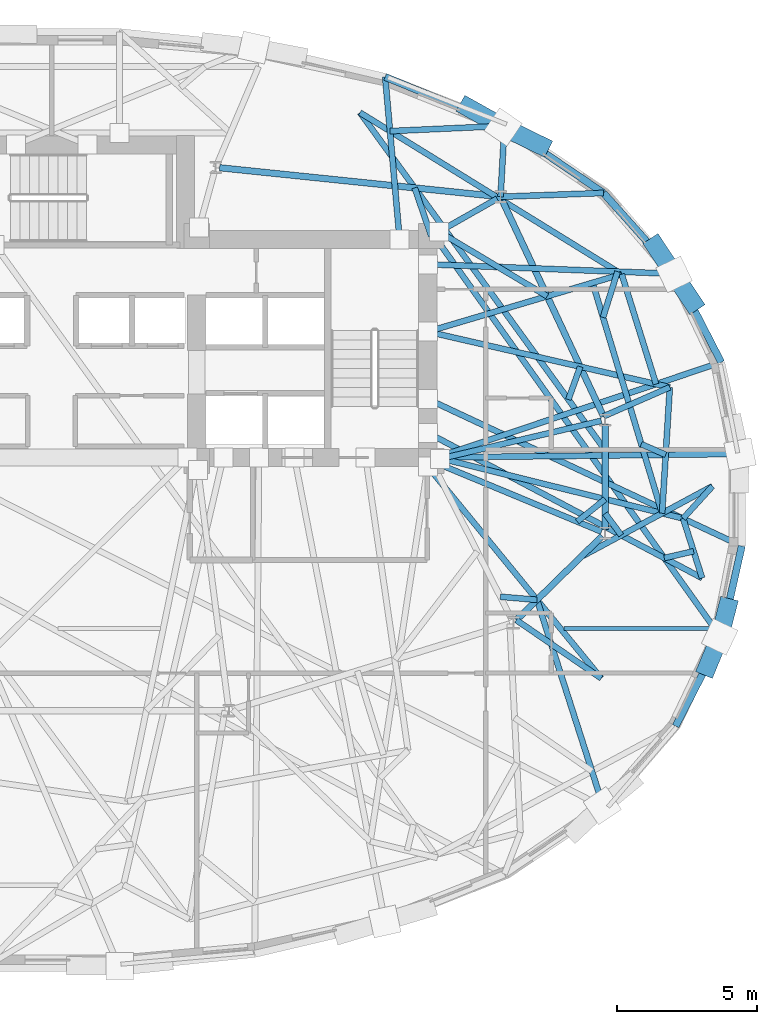
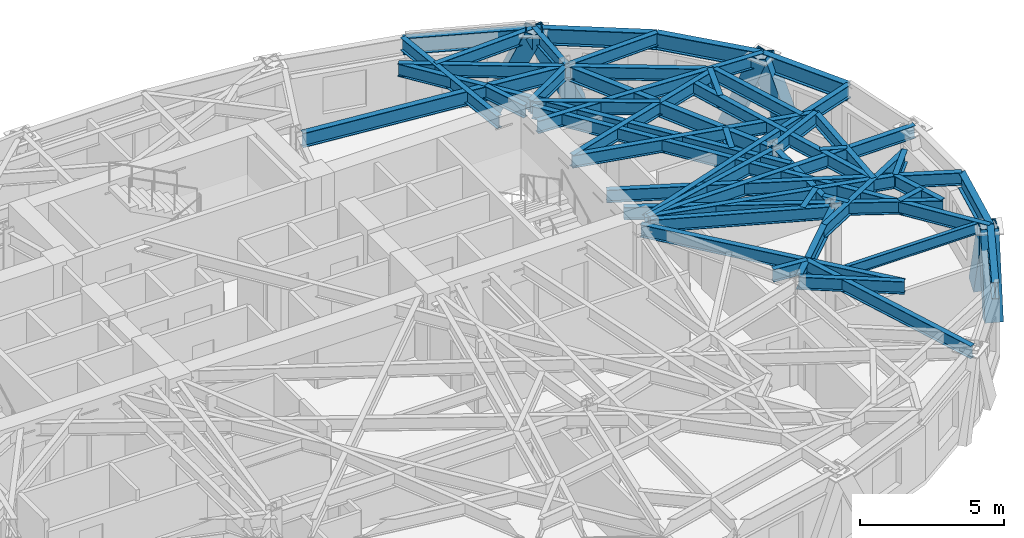
# One storey, part 4 of 14: 48 beams, 6 members.
"""IFC4 building model written with IfcOpenShell, lengths in metres."""

import ifcopenshell
import ifcopenshell.guid

model = None  # the IFC model being written
_history = None  # IfcOwnerHistory: only IFC2X3 demands one
_inside = {}  # id of a spatial element -> (the spatial element, [elements in it])
_under = {}  # id of a project, library or spatial element -> (it, [spatial elements below it])
_declared = {}  # id of a project -> (the project, [libraries it declares])
_typed = {}  # id of a type object -> (the type object, [elements of that type])
_made_of = {}  # id of a material, layer set ... -> (it, [elements and type objects made of it])


def new_model(schema):
    """Start an empty IFC model of exactly this schema.

    Asked for "IFC4X3", IfcOpenShell would pick the latest addendum, in which some entities
    have other attributes; the version numbers below select the first issue.
    IFC2X3 requires an IfcOwnerHistory on every rooted entity: one is made here for all.
    """
    global model, _history
    if schema == "IFC4X3":
        model = ifcopenshell.file(schema_version=(4, 3, 0, 0))
    else:
        model = ifcopenshell.file(schema=schema)
    _inside.clear()
    _under.clear()
    _declared.clear()
    _typed.clear()
    _made_of.clear()
    _history = None
    if model.schema == "IFC2X3":
        org = make("IfcOrganization", Name="unknown")
        user = make(
            "IfcPersonAndOrganization",
            ThePerson=make("IfcPerson", FamilyName="unknown"),
            TheOrganization=org,
        )
        app = make(
            "IfcApplication",
            ApplicationDeveloper=org,
            Version="unknown",
            ApplicationFullName="unknown",
            ApplicationIdentifier="unknown",
        )
        _history = make(
            "IfcOwnerHistory",
            OwningUser=user,
            OwningApplication=app,
            ChangeAction="ADDED",
            CreationDate=0,
        )
    return model


def make(cls, **values):
    """One entity of the class cls with the attributes given. An attribute that is None is left unset."""
    return model.create_entity(
        cls, **{name: value for name, value in values.items() if value is not None}
    )


def rooted(cls, **values):
    """An entity with a GlobalId (a new one), such as an element, a storey or a relation."""
    return make(cls, GlobalId=ifcopenshell.guid.new(), OwnerHistory=_history, **values)


def si_unit(unit_type, name, prefix=None):
    """IfcSIUnit, for example si_unit("LENGTHUNIT", "METRE", prefix="MILLI")."""
    return make("IfcSIUnit", UnitType=unit_type, Prefix=prefix, Name=name)


def assignment(units):
    """IfcUnitAssignment: the units of a project."""
    return None if units is None else make("IfcUnitAssignment", Units=units)


def point(xyz):
    """IfcCartesianPoint."""
    return None if xyz is None else make("IfcCartesianPoint", Coordinates=xyz)


def direction(xyz):
    """IfcDirection."""
    return None if xyz is None else make("IfcDirection", DirectionRatios=xyz)


def frame(location, z_axis=None, x_axis=None):
    """IfcAxis2Placement3D, a coordinate frame: its origin and axes. An axis left out is left unset."""
    return make(
        "IfcAxis2Placement3D",
        Location=point(location),
        Axis=direction(z_axis),
        RefDirection=direction(x_axis),
    )


def frame_2d(location, x_axis=None):
    """IfcAxis2Placement2D, a coordinate frame in the plane: its origin and x axis."""
    return make(
        "IfcAxis2Placement2D", Location=point(location), RefDirection=direction(x_axis)
    )


def origin():
    """The frame at (0, 0, 0) with its axes left unset."""
    return frame((0.0, 0.0, 0.0))


def origin_2d():
    """The frame at (0, 0) in the plane with its x axis left unset."""
    return frame_2d((0.0, 0.0))


def place(relative_to, where):
    """IfcLocalPlacement: puts the frame where relative to a parent placement (None: the world)."""
    return make(
        "IfcLocalPlacement", PlacementRelTo=relative_to, RelativePlacement=where
    )


def context(
    kind, dimensions, precision=None, world=None, true_north=None, identifier=None
):
    """IfcGeometricRepresentationContext, for example the 3D "Model" context."""
    return make(
        "IfcGeometricRepresentationContext",
        ContextIdentifier=identifier,
        ContextType=kind,
        CoordinateSpaceDimension=dimensions,
        Precision=precision,
        WorldCoordinateSystem=world,
        TrueNorth=true_north,
    )


def subcontext(parent, identifier, kind, view, scale=None):
    """IfcGeometricRepresentationSubContext, for example "Body" below "Model"."""
    return make(
        "IfcGeometricRepresentationSubContext",
        ContextIdentifier=identifier,
        ContextType=kind,
        ParentContext=parent,
        TargetScale=scale,
        TargetView=view,
    )


def project(units=None, contexts=None):
    """IfcProject with its units and contexts."""
    return rooted(
        "IfcProject",
        Name="project",
        RepresentationContexts=contexts,
        UnitsInContext=assignment(units),
    )


def spatial(cls, under=None, at=None, **own):
    """A site, building, storey or space (cls), placed at a placement, below another one or the project."""
    s = rooted(cls, ObjectPlacement=at, **own)
    if under is not None:
        _under.setdefault(under.id(), (under, []))[1].append(s)
    return s


def profile(cls, at=None, kind="AREA", **sizes):
    """A parametric profile (cls). Its sizes go by their IFC names, for example OverallWidth=200.0."""
    return make(cls, ProfileType=kind, Position=at, **sizes)


def hollow_rectangle(**sizes):
    """IfcRectangleHollowProfileDef."""
    return profile("IfcRectangleHollowProfileDef", **sizes)


def i_section(**sizes):
    """IfcIShapeProfileDef."""
    return profile("IfcIShapeProfileDef", **sizes)


def extrude(swept, where, along, depth):
    """IfcExtrudedAreaSolid: the profile swept, set in the frame where, extruded along a direction by depth."""
    return make(
        "IfcExtrudedAreaSolid",
        SweptArea=swept,
        Position=where,
        ExtrudedDirection=direction(along),
        Depth=depth,
    )


def shape(context_of_items, identifier, shape_type, items):
    """IfcShapeRepresentation: the items that make up one representation, for example the "Body"."""
    return make(
        "IfcShapeRepresentation",
        ContextOfItems=context_of_items,
        RepresentationIdentifier=identifier,
        RepresentationType=shape_type,
        Items=items,
    )


def material(Name=None, Category=None):
    """IfcMaterial."""
    return make("IfcMaterial", Name=Name, Category=Category)


def material_profile(
    of_material, cross_section, Name=None, Category=None, Priority=None
):
    """IfcMaterialProfile: a cross section and its material."""
    return make(
        "IfcMaterialProfile",
        Name=Name,
        Material=of_material,
        Profile=cross_section,
        Priority=Priority,
        Category=Category,
    )


def profile_set(profiles, Name=None, composite=None):
    """IfcMaterialProfileSet."""
    return make(
        "IfcMaterialProfileSet",
        Name=Name,
        MaterialProfiles=profiles,
        CompositeProfile=composite,
    )


def made_of(thing, what):
    """Note that an element or type object is made of a material, layer set ...; save() writes the relation."""
    if what is not None:
        _made_of.setdefault(what.id(), (what, []))[1].append(thing)
    return thing


def type_object(cls, material=None, **own):
    """A type object (cls), such as IfcWallType, which elements share."""
    return made_of(rooted(cls, **own), material)


def element(
    cls,
    number,
    at=None,
    inside=None,
    cuts=None,
    type_object=None,
    material=None,
    context=None,
    identifier="Body",
    shape_type=None,
    held_by="IfcProductDefinitionShape",
    body=None,
    shapes=None,
    **own,
):
    """One element of the class cls, such as IfcWall. Its Tag is "e" and its number.

    at: its placement. inside: the storey or other place that contains it. cuts: it is an
    opening in that element (IfcRelVoidsElement). A single representation is given by context,
    identifier, shape_type and body (its items); several are given by shapes. held_by: the class
    of the entity that holds the representations. save() writes the other relations.
    """
    e = rooted(cls, Tag="e%d" % number, ObjectPlacement=at, **own)
    if body is not None:
        shapes = [shape(context, identifier, shape_type, body)]
    if shapes is not None:
        e.Representation = make(held_by, Representations=shapes)
    if inside is not None:
        _inside.setdefault(inside.id(), (inside, []))[1].append(e)
    if cuts is not None:
        rooted(
            "IfcRelVoidsElement", RelatingBuildingElement=cuts, RelatedOpeningElement=e
        )
    if type_object is not None:
        _typed.setdefault(type_object.id(), (type_object, []))[1].append(e)
    return made_of(e, material)


def aggregate(whole, parts):
    """IfcRelAggregates: a whole, such as a stair, and the parts it consists of."""
    return rooted("IfcRelAggregates", RelatingObject=whole, RelatedObjects=parts)


def save(model, path):
    """Write the relations noted so far, then the file.

    IfcRelAggregates (storeys below a building ...), IfcRelContainedInSpatialStructure (elements
    in a storey), IfcRelDefinesByType, IfcRelAssociatesMaterial and IfcRelDeclares: one each for
    every whole, place, type object, material and project.
    """
    for whole, parts in _under.values():
        aggregate(whole, parts)
    for where, things in _inside.values():
        rooted(
            "IfcRelContainedInSpatialStructure",
            RelatedElements=things,
            RelatingStructure=where,
        )
    for kind, things in _typed.values():
        rooted("IfcRelDefinesByType", RelatedObjects=things, RelatingType=kind)
    for what, things in _made_of.values():
        rooted("IfcRelAssociatesMaterial", RelatedObjects=things, RelatingMaterial=what)
    for by, libraries in _declared.values():
        rooted("IfcRelDeclares", RelatingContext=by, RelatedDefinitions=libraries)
    model.write(path)


model = new_model("IFC4")

# Units and contexts
model_context = context("Model", 3, precision=1e-05, world=origin(), true_north=direction((0.0, 1.0)))
body_context = subcontext(model_context, "Body", "Model", "MODEL_VIEW")
ifc_project = project(units=[si_unit("LENGTHUNIT", "METRE"), si_unit("AREAUNIT", "SQUARE_METRE"), si_unit("VOLUMEUNIT", "CUBIC_METRE"), si_unit("PLANEANGLEUNIT", "RADIAN"), si_unit("MASSUNIT", "GRAM", prefix="KILO")], contexts=[model_context])

# Site, building, storey
site_placement = place(None, origin())
site = spatial("IfcSite", under=ifc_project, at=site_placement, CompositionType="ELEMENT")
building_placement = place(site_placement, origin())
building = spatial("IfcBuilding", under=site, at=building_placement, Name="Keldmark Tower", CompositionType="ELEMENT")
storey_placement = place(building_placement, frame((0.0, 0.0, 153.39990234375)))
storey = spatial("IfcBuildingStorey", under=building, at=storey_placement, Name="L41", CompositionType="ELEMENT", Elevation=153.39990234375)

# Beam
ifc_material_1 = material(Name="Steel ASTM A992 Grade 50", Category="steel")
ifc_material_profile_1 = material_profile(ifc_material_1, i_section(OverallWidth=0.153076171875, OverallDepth=0.455078125, WebThickness=0.008056640625, FlangeThickness=0.01318359375, at=origin_2d()), Name="W18X40")
ifc_profile_set_1 = profile_set([ifc_material_profile_1], Name="Steel ASTM A992 Grade 50")
beam_type_1 = type_object("IfcBeamType", Name="Composite Floor Joist W18X40", PredefinedType="JOIST", material=ifc_profile_set_1)
beam_1_placement = place(storey_placement, frame((18.351318359375, -4.60009765625, 2.79248046875), z_axis=(1.0, 0.0, 0.0), x_axis=(0.0, 1.0, 0.0)))
element("IfcBeam", 1, at=beam_1_placement, inside=storey, type_object=beam_type_1, Name="L41 Composite Floor Joist J06", PredefinedType="JOIST", context=body_context, shape_type="SweptSolid", body=[
    extrude(i_section(OverallWidth=0.153076171875, OverallDepth=0.455078125, WebThickness=0.008056640625, FlangeThickness=0.01318359375, at=origin_2d()), origin(), (0.0, 0.0, 1.0), 5.277099609375),
])

# Members
ifc_material_2 = material(Name="Steel ASTM A572 Grade 50", Category="steel")
ifc_material_profile_2 = material_profile(ifc_material_2, hollow_rectangle(XDim=0.64990234375, YDim=0.64990234375, WallThickness=0.0400390625, at=origin_2d()), Name="BOX650X650X40")
ifc_profile_set_2 = profile_set([ifc_material_profile_2], Name="Steel ASTM A572 Grade 50")
member_type = type_object("IfcMemberType", Name="Diagrid Zone 3 Brace BOX650X650X40", PredefinedType="BRACE", material=ifc_profile_set_2)
member_1_placement = place(storey_placement, frame((22.968017578125, 7.069091796875, -0.260009765625), z_axis=(-0.198015609703, 0.299258842049, 0.933399144937), x_axis=(-0.833962125569, -0.551821685979, 0.0)))
element("IfcMember", 2, at=member_1_placement, inside=storey, type_object=member_type, Name="L41 Perimeter Diagrid Brace 01B", PredefinedType="BRACE", context=body_context, shape_type="SweptSolid", body=[
    extrude(hollow_rectangle(XDim=0.64990234375, YDim=0.64990234375, WallThickness=0.0400390625, at=origin_2d()), origin(), (0.0, 0.0, 1.0), 3.3857421875),
])
member_2_placement = place(storey_placement, frame((21.614990234375, 9.11376953125, -0.260009765625), z_axis=(0.202259445413, -0.306802071728, 0.93003419589), x_axis=(0.834896943482, 0.550406298806, 0.0)))
element("IfcMember", 3, at=member_2_placement, inside=storey, type_object=member_type, Name="L41 Perimeter Diagrid Brace 02A", PredefinedType="BRACE", context=body_context, shape_type="SweptSolid", body=[
    extrude(hollow_rectangle(XDim=0.64990234375, YDim=0.64990234375, WallThickness=0.0400390625, at=origin_2d()), origin(), (0.0, 0.0, 1.0), 3.39794921875),
])
member_3_placement = place(storey_placement, frame((17.540771484375, 12.692626953125, -0.260009765625), z_axis=(-0.389262367062, 0.19055823621, 0.901200514981), x_axis=(-0.43967970767, -0.898154638502, 0.0)))
element("IfcMember", 4, at=member_3_placement, inside=storey, type_object=member_type, Name="L41 Perimeter Diagrid Brace 02B", PredefinedType="BRACE", context=body_context, shape_type="SweptSolid", body=[
    extrude(hollow_rectangle(XDim=0.64990234375, YDim=0.64990234375, WallThickness=0.0400390625, at=origin_2d()), origin(), (0.0, 0.0, 1.0), 3.506591796875),
])
member_4_placement = place(storey_placement, frame((14.902099609375, 14.0673828125, -0.260009765625), z_axis=(0.36792019252, -0.205155270177, 0.906943243569), x_axis=(0.487012197911, 0.873395167771, 0.0)))
element("IfcMember", 5, at=member_4_placement, inside=storey, type_object=member_type, Name="L41 Perimeter Diagrid Brace 03A", PredefinedType="BRACE", context=body_context, shape_type="SweptSolid", body=[
    extrude(hollow_rectangle(XDim=0.64990234375, YDim=0.64990234375, WallThickness=0.0400390625, at=origin_2d()), origin(), (0.0, 0.0, 1.0), 3.484375),
])
member_5_placement = place(storey_placement, frame((23.48388671875, -5.9873046875, -0.260009765625), z_axis=(0.132766233641, 0.321521719111, 0.93754835147), x_axis=(-0.924298157408, 0.381671214807, 0.0)))
element("IfcMember", 6, at=member_5_placement, inside=storey, type_object=member_type, Name="L41 Perimeter Diagrid Brace 15B", PredefinedType="BRACE", context=body_context, shape_type="SweptSolid", body=[
    extrude(hollow_rectangle(XDim=0.64990234375, YDim=0.64990234375, WallThickness=0.0400390625, at=origin_2d()), origin(), (0.0, 0.0, 1.0), 3.37060546875),
])
member_6_placement = place(storey_placement, frame((24.20751953125, -3.828857421875, -0.260009765625), z_axis=(-0.08365843778, -0.323712284049, 0.942449798633), x_axis=(0.968190583695, -0.250213895786, 0.0)))
element("IfcMember", 7, at=member_6_placement, inside=storey, type_object=member_type, Name="L41 Perimeter Diagrid Brace 16A", PredefinedType="BRACE", context=body_context, shape_type="SweptSolid", body=[
    extrude(hollow_rectangle(XDim=0.64990234375, YDim=0.64990234375, WallThickness=0.0400390625, at=origin_2d()), origin(), (0.0, 0.0, 1.0), 3.35302734375),
])

# Beams
ifc_material_3 = material(Name="Steel ASTM A992 Grade 50", Category="steel")
ifc_material_profile_3 = material_profile(ifc_material_3, i_section(OverallWidth=0.22900390625, OverallDepth=0.612060546875, WebThickness=0.011962890625, FlangeThickness=0.01953125, at=origin_2d()), Name="W24X84")
ifc_profile_set_3 = profile_set([ifc_material_profile_3], Name="Steel ASTM A992 Grade 50")
beam_type_2 = type_object("IfcBeamType", Name="Primary Floor Girder W24X84", PredefinedType="BEAM", material=ifc_profile_set_3)
beam_2_placement = place(storey_placement, frame((19.76904296875, 2.99609375, 2.714111328125), z_axis=(-0.424526823774, 0.905415360979, 0.0), x_axis=(-0.905415360979, -0.424526823774, 0.0)))
element("IfcBeam", 8, at=beam_2_placement, inside=storey, type_object=beam_type_2, Name="L41 Floor Ring Girder FG-R01", PredefinedType="BEAM", context=body_context, shape_type="SweptSolid", body=[
    extrude(i_section(OverallWidth=0.22900390625, OverallDepth=0.612060546875, WebThickness=0.011962890625, FlangeThickness=0.01953125, at=origin_2d()), origin(), (0.0, 0.0, 1.0), 8.54638671875),
])
beam_3_placement = place(storey_placement, frame((15.942138671875, 10.87548828125, 2.714111328125), z_axis=(-0.994702930931, 0.102791435423, 0.0), x_axis=(-0.102791435423, -0.994702930931, 0.0)))
element("IfcBeam", 9, at=beam_3_placement, inside=storey, type_object=beam_type_2, Name="L41 Floor Ring Girder FG-R02", PredefinedType="BEAM", context=body_context, shape_type="SweptSolid", body=[
    extrude(i_section(OverallWidth=0.22900390625, OverallDepth=0.612060546875, WebThickness=0.011962890625, FlangeThickness=0.01953125, at=origin_2d()), origin(), (0.0, 0.0, 1.0), 9.975341796875),
])
beam_4_placement = place(storey_placement, frame((16.646728515625, -4.300537109375, 2.714111328125), z_axis=(0.714964509815, 0.699160746684, 0.0), x_axis=(-0.699160746684, 0.714964509815, 0.0)))
element("IfcBeam", 10, at=beam_4_placement, inside=storey, type_object=beam_type_2, Name="L41 Floor Ring Girder FG-R11", PredefinedType="BEAM", context=body_context, shape_type="SweptSolid", body=[
    extrude(i_section(OverallWidth=0.22900390625, OverallDepth=0.612060546875, WebThickness=0.011962890625, FlangeThickness=0.01953125, at=origin_2d()), origin(), (0.0, 0.0, 1.0), 4.31005859375),
])
beam_5_placement = place(storey_placement, frame((19.828369140625, -1.04931640625, 2.714111328125), z_axis=(0.0, 1.0, 0.0), x_axis=(-1.0, 0.0, 0.0)))
element("IfcBeam", 11, at=beam_5_placement, inside=storey, type_object=beam_type_2, Name="L41 Floor Ring Girder FG-R12", PredefinedType="BEAM", context=body_context, shape_type="SweptSolid", body=[
    extrude(i_section(OverallWidth=0.22900390625, OverallDepth=0.612060546875, WebThickness=0.011962890625, FlangeThickness=0.01953125, at=origin_2d()), origin(), (0.0, 0.0, 1.0), 3.778564453125),
])
ifc_material_4 = material(Name="Steel ASTM A992 Grade 50", Category="steel")
ifc_material_profile_4 = material_profile(ifc_material_4, i_section(OverallWidth=0.2099609375, OverallDepth=0.537109375, WebThickness=0.010986328125, FlangeThickness=0.017333984375, at=origin_2d()), Name="W21X68")
ifc_profile_set_4 = profile_set([ifc_material_profile_4], Name="Steel ASTM A992 Grade 50")
beam_type_3 = type_object("IfcBeamType", Name="Radial Tie Girder W21X68", PredefinedType="BEAM", material=ifc_profile_set_4)
beam_6_placement = place(storey_placement, frame((19.692138671875, 2.837158203125, 2.751708984375), z_axis=(-0.973280062348, -0.229621253887, 0.0), x_axis=(0.229621253887, -0.973280062348, 0.0)))
element("IfcBeam", 12, at=beam_6_placement, inside=storey, type_object=beam_type_3, Name="L41 Floor Radial Girder FG-C01", PredefinedType="BEAM", context=body_context, shape_type="SweptSolid", body=[
    extrude(i_section(OverallWidth=0.2099609375, OverallDepth=0.537109375, WebThickness=0.010986328125, FlangeThickness=0.017333984375, at=origin_2d()), origin(), (0.0, 0.0, 1.0), 5.939208984375),
])
beam_7_placement = place(storey_placement, frame((15.959716796875, 10.791748046875, 2.751708984375), z_axis=(-0.86929527307, -0.494293160197, 0.0), x_axis=(0.494293160197, -0.86929527307, 0.0)))
element("IfcBeam", 13, at=beam_7_placement, inside=storey, type_object=beam_type_3, Name="L41 Floor Radial Girder FG-C02", PredefinedType="BEAM", context=body_context, shape_type="SweptSolid", body=[
    extrude(i_section(OverallWidth=0.2099609375, OverallDepth=0.537109375, WebThickness=0.010986328125, FlangeThickness=0.017333984375, at=origin_2d()), origin(), (0.0, 0.0, 1.0), 2.39453125),
])
beam_8_placement = place(storey_placement, frame((19.69921875, -1.135498046875, 2.751708984375), z_axis=(-0.923393794893, 0.383854008124, 0.0), x_axis=(-0.383854008124, -0.923393794893, 0.0)))
element("IfcBeam", 14, at=beam_8_placement, inside=storey, type_object=beam_type_3, Name="L41 Floor Radial Girder FG-C12", PredefinedType="BEAM", context=body_context, shape_type="SweptSolid", body=[
    extrude(i_section(OverallWidth=0.2099609375, OverallDepth=0.537109375, WebThickness=0.010986328125, FlangeThickness=0.017333984375, at=origin_2d()), origin(), (0.0, 0.0, 1.0), 6.28515625),
])
beam_9_placement = place(storey_placement, frame((18.82861328125, -0.773681640625, 2.751708984375), z_axis=(0.779009418929, 0.62701222095, 0.0), x_axis=(-0.62701222095, 0.779009418929, 0.0)))
element("IfcBeam", 15, at=beam_9_placement, inside=storey, type_object=beam_type_3, Name="L41 Framing Pin Header PH-002", PredefinedType="BEAM", context=body_context, shape_type="SweptSolid", body=[
    extrude(i_section(OverallWidth=0.2099609375, OverallDepth=0.537109375, WebThickness=0.010986328125, FlangeThickness=0.017333984375, at=origin_2d()), origin(), (0.0, 0.0, 1.0), 1.283447265625),
])
beam_10_placement = place(storey_placement, frame((13.800048828125, 1.52490234375, 2.751708984375), z_axis=(0.970631966054, -0.240569296615, 0.0), x_axis=(0.240569296615, 0.970631966054, 0.0)))
element("IfcBeam", 16, at=beam_10_placement, inside=storey, type_object=beam_type_3, Name="L41 Sub-Ring Step Girder STP1-M12", PredefinedType="BEAM", context=body_context, shape_type="SweptSolid", body=[
    extrude(i_section(OverallWidth=0.2099609375, OverallDepth=0.537109375, WebThickness=0.010986328125, FlangeThickness=0.017333984375, at=origin_2d()), origin(), (0.0, 0.0, 1.0), 9.087890625),
])
beam_11_placement = place(storey_placement, frame((13.878173828125, 9.608154296875, 2.751708984375), z_axis=(0.858812821424, -0.512289505804, 0.0), x_axis=(0.512289505804, 0.858812821424, 0.0)))
element("IfcBeam", 17, at=beam_11_placement, inside=storey, type_object=beam_type_3, Name="L41 Framing Pin Header PH-003", PredefinedType="BEAM", context=body_context, shape_type="SweptSolid", body=[
    extrude(i_section(OverallWidth=0.2099609375, OverallDepth=0.537109375, WebThickness=0.010986328125, FlangeThickness=0.017333984375, at=origin_2d()), origin(), (0.0, 0.0, 1.0), 4.51123046875),
])
beam_12_placement = place(storey_placement, frame((13.47509765625, 6.028564453125, 2.751708984375), z_axis=(0.958727708774, 0.284325834965, 0.0), x_axis=(-0.284325834965, 0.958727708774, 0.0)))
element("IfcBeam", 18, at=beam_12_placement, inside=storey, type_object=beam_type_3, Name="L41 Sub-Ring Step Girder STP2-M01", PredefinedType="BEAM", context=body_context, shape_type="SweptSolid", body=[
    extrude(i_section(OverallWidth=0.2099609375, OverallDepth=0.537109375, WebThickness=0.010986328125, FlangeThickness=0.017333984375, at=origin_2d()), origin(), (0.0, 0.0, 1.0), 7.24462890625),
])
beam_13_placement = place(storey_placement, frame((13.60009765625, 9.449951171875, 2.751708984375), z_axis=(-0.324829658463, 0.945772537655, 0.0), x_axis=(-0.945772537655, -0.324829658463, 0.0)))
element("IfcBeam", 19, at=beam_13_placement, inside=storey, type_object=beam_type_3, Name="L41 Framing Pin Header PH-004", PredefinedType="BEAM", context=body_context, shape_type="SweptSolid", body=[
    extrude(i_section(OverallWidth=0.2099609375, OverallDepth=0.537109375, WebThickness=0.010986328125, FlangeThickness=0.017333984375, at=origin_2d()), origin(), (0.0, 0.0, 1.0), 1.827880859375),
])
beam_14_placement = place(storey_placement, frame((19.828369140625, 1.78466796875, 2.751708984375), z_axis=(-0.587604266468, 0.809148457348, 0.0), x_axis=(-0.809148457348, -0.587604266468, 0.0)))
element("IfcBeam", 20, at=beam_14_placement, inside=storey, type_object=beam_type_3, Name="L41 Sub-Ring Step Girder STP2-M02", PredefinedType="BEAM", context=body_context, shape_type="SweptSolid", body=[
    extrude(i_section(OverallWidth=0.2099609375, OverallDepth=0.537109375, WebThickness=0.010986328125, FlangeThickness=0.017333984375, at=origin_2d()), origin(), (0.0, 0.0, 1.0), 14.944091796875),
])
beam_15_placement = place(storey_placement, frame((20.420654296875, 8.08837890625, 2.751708984375), z_axis=(-0.850846950323, 0.525413615284, 0.0), x_axis=(-0.525413615284, -0.850846950323, 0.0)))
element("IfcBeam", 21, at=beam_15_placement, inside=storey, type_object=beam_type_3, Name="L41 Perimeter Collector Ring Beam CRG2-M01", PredefinedType="BEAM", context=body_context, shape_type="SweptSolid", body=[
    extrude(i_section(OverallWidth=0.2099609375, OverallDepth=0.537109375, WebThickness=0.010986328125, FlangeThickness=0.017333984375, at=origin_2d()), origin(), (0.0, 0.0, 1.0), 11.0166015625),
])
beam_16_placement = place(storey_placement, frame((19.37890625, 7.779296875, 2.751708984375), z_axis=(0.288810188414, -0.957386377106, 0.0), x_axis=(0.957386377106, 0.288810188414, 0.0)))
element("IfcBeam", 22, at=beam_16_placement, inside=storey, type_object=beam_type_3, Name="L41 Framing Pin Header PH-009", PredefinedType="BEAM", context=body_context, shape_type="SweptSolid", body=[
    extrude(i_section(OverallWidth=0.2099609375, OverallDepth=0.537109375, WebThickness=0.010986328125, FlangeThickness=0.017333984375, at=origin_2d()), origin(), (0.0, 0.0, 1.0), 8.62158203125),
])
beam_17_placement = place(storey_placement, frame((18.9580078125, -2.04052734375, 2.751708984375), z_axis=(0.880680486065, 0.473710757177, 0.0), x_axis=(-0.473710757177, 0.880680486065, 0.0)))
element("IfcBeam", 23, at=beam_17_placement, inside=storey, type_object=beam_type_3, Name="L41 Intermediate Radial Step Girder RT-01M", PredefinedType="BEAM", context=body_context, shape_type="SweptSolid", body=[
    extrude(i_section(OverallWidth=0.2099609375, OverallDepth=0.537109375, WebThickness=0.010986328125, FlangeThickness=0.017333984375, at=origin_2d()), origin(), (0.0, 0.0, 1.0), 5.351806640625),
])
beam_18_placement = place(storey_placement, frame((22.62109375, -0.661376953125, 2.751708984375), z_axis=(0.672369276041, 0.740215885155, 0.0), x_axis=(-0.740215885155, 0.672369276041, 0.0)))
element("IfcBeam", 24, at=beam_18_placement, inside=storey, type_object=beam_type_3, Name="L41 Local Collector Chord RT-01C", PredefinedType="BEAM", context=body_context, shape_type="SweptSolid", body=[
    extrude(i_section(OverallWidth=0.2099609375, OverallDepth=0.537109375, WebThickness=0.010986328125, FlangeThickness=0.017333984375, at=origin_2d()), origin(), (0.0, 0.0, 1.0), 1.561767578125),
])
beam_19_placement = place(storey_placement, frame((18.51123046875, 3.598388671875, 2.751708984375), z_axis=(0.338747122985, 0.940877455713, 0.0), x_axis=(-0.940877455713, 0.338747122985, 0.0)))
element("IfcBeam", 25, at=beam_19_placement, inside=storey, type_object=beam_type_3, Name="L41 Framing Pin Header PH-010", PredefinedType="BEAM", context=body_context, shape_type="SweptSolid", body=[
    extrude(i_section(OverallWidth=0.2099609375, OverallDepth=0.537109375, WebThickness=0.010986328125, FlangeThickness=0.017333984375, at=origin_2d()), origin(), (0.0, 0.0, 1.0), 1.25048828125),
])
beam_20_placement = place(storey_placement, frame((13.47509765625, 6.028564453125, 2.751708984375), z_axis=(0.974640852796, -0.223774904896, 0.0), x_axis=(0.223774904896, 0.974640852796, 0.0)))
element("IfcBeam", 26, at=beam_20_placement, inside=storey, type_object=beam_type_3, Name="L41 Intermediate Radial Step Girder RT-02M", PredefinedType="BEAM", context=body_context, shape_type="SweptSolid", body=[
    extrude(i_section(OverallWidth=0.2099609375, OverallDepth=0.537109375, WebThickness=0.010986328125, FlangeThickness=0.017333984375, at=origin_2d()), origin(), (0.0, 0.0, 1.0), 8.89501953125),
])
beam_21_placement = place(storey_placement, frame((19.76904296875, 2.99609375, 2.751708984375), z_axis=(0.915772416402, 0.401697499815, 0.0), x_axis=(-0.401697499815, 0.915772416402, 0.0)))
element("IfcBeam", 27, at=beam_21_placement, inside=storey, type_object=beam_type_3, Name="L41 Local Collector Chord RT-02C", PredefinedType="BEAM", context=body_context, shape_type="SweptSolid", body=[
    extrude(i_section(OverallWidth=0.2099609375, OverallDepth=0.537109375, WebThickness=0.010986328125, FlangeThickness=0.017333984375, at=origin_2d()), origin(), (0.0, 0.0, 1.0), 2.593994140625),
])
beam_22_placement = place(storey_placement, frame((20.420654296875, 8.08837890625, 2.751708984375), z_axis=(0.298308694435, -0.954469445726, 0.0), x_axis=(0.954469445726, 0.298308694435, 0.0)))
element("IfcBeam", 28, at=beam_22_placement, inside=storey, type_object=beam_type_3, Name="L41 Framing Pin Header PH-011", PredefinedType="BEAM", context=body_context, shape_type="SweptSolid", body=[
    extrude(i_section(OverallWidth=0.2099609375, OverallDepth=0.537109375, WebThickness=0.010986328125, FlangeThickness=0.017333984375, at=origin_2d()), origin(), (0.0, 0.0, 1.0), 4.124755859375),
])
beam_23_placement = place(storey_placement, frame((13.800048828125, 1.52490234375, 2.751708984375), z_axis=(0.948341739, 0.317250604525, 0.0), x_axis=(-0.317250604525, 0.948341739, 0.0)))
element("IfcBeam", 29, at=beam_23_placement, inside=storey, type_object=beam_type_3, Name="L41 Perimeter Radial Tie Girder RT-02", PredefinedType="BEAM", context=body_context, shape_type="SweptSolid", body=[
    extrude(i_section(OverallWidth=0.2099609375, OverallDepth=0.537109375, WebThickness=0.010986328125, FlangeThickness=0.017333984375, at=origin_2d()), origin(), (0.0, 0.0, 1.0), 10.739013671875),
])
beam_24_placement = place(storey_placement, frame((19.752197265625, 6.541259765625, 2.751708984375), z_axis=(0.302306798284, 0.953210679604, 0.0), x_axis=(-0.953210679604, 0.302306798284, 0.0)))
element("IfcBeam", 30, at=beam_24_placement, inside=storey, type_object=beam_type_3, Name="L41 Framing Pin Header PH-012", PredefinedType="BEAM", context=body_context, shape_type="SweptSolid", body=[
    extrude(i_section(OverallWidth=0.2099609375, OverallDepth=0.537109375, WebThickness=0.010986328125, FlangeThickness=0.017333984375, at=origin_2d()), origin(), (0.0, 0.0, 1.0), 1.719482421875),
])
beam_25_placement = place(storey_placement, frame((13.47509765625, 8.44287109375, 2.751708984375), z_axis=(0.999253688917, -0.038627259612, 0.0), x_axis=(0.038627259612, 0.999253688917, 0.0)))
element("IfcBeam", 31, at=beam_25_placement, inside=storey, type_object=beam_type_3, Name="L41 Perimeter Radial Tie Girder RT-03", PredefinedType="BEAM", context=body_context, shape_type="SweptSolid", body=[
    extrude(i_section(OverallWidth=0.2099609375, OverallDepth=0.537109375, WebThickness=0.010986328125, FlangeThickness=0.017333984375, at=origin_2d()), origin(), (0.0, 0.0, 1.0), 8.886474609375),
])
beam_26_placement = place(storey_placement, frame((16.08154296875, 10.861083984375, 2.751708984375), z_axis=(0.999329537276, 0.036612510542, 0.0), x_axis=(-0.036612510542, 0.999329537276, 0.0)))
element("IfcBeam", 32, at=beam_26_placement, inside=storey, type_object=beam_type_3, Name="L41 Perimeter Column Bracket RT-04", PredefinedType="BEAM", context=body_context, shape_type="SweptSolid", body=[
    extrude(i_section(OverallWidth=0.2099609375, OverallDepth=0.537109375, WebThickness=0.010986328125, FlangeThickness=0.017333984375, at=origin_2d()), origin(), (0.0, 0.0, 1.0), 3.6875),
])
beam_27_placement = place(storey_placement, frame((16.08154296875, 10.861083984375, 2.751708984375), z_axis=(0.055326383246, 0.998468322641, 0.0), x_axis=(-0.998468322641, 0.055326383246, 0.0)))
element("IfcBeam", 33, at=beam_27_placement, inside=storey, type_object=beam_type_3, Name="L41 Perimeter Column Bracket RT-05", PredefinedType="BEAM", context=body_context, shape_type="SweptSolid", body=[
    extrude(i_section(OverallWidth=0.2099609375, OverallDepth=0.537109375, WebThickness=0.010986328125, FlangeThickness=0.017333984375, at=origin_2d()), origin(), (0.0, 0.0, 1.0), 2.541748046875),
])
beam_28_placement = place(storey_placement, frame((16.22216796875, 13.39892578125, 2.751708984375), z_axis=(-0.998975029907, -0.045264661968, 0.0), x_axis=(0.045264661968, -0.998975029907, 0.0)))
element("IfcBeam", 34, at=beam_28_placement, inside=storey, type_object=beam_type_3, Name="L41 Framing Pin Header PH-013", PredefinedType="BEAM", context=body_context, shape_type="SweptSolid", body=[
    extrude(i_section(OverallWidth=0.2099609375, OverallDepth=0.537109375, WebThickness=0.010986328125, FlangeThickness=0.017333984375, at=origin_2d()), origin(), (0.0, 0.0, 1.0), 4.1044921875),
])
beam_29_placement = place(storey_placement, frame((12.468017578125, 9.324951171875, 2.751708984375), z_axis=(-0.088699847504, 0.996058400423, 0.0), x_axis=(-0.996058400423, -0.088699847504, 0.0)))
element("IfcBeam", 35, at=beam_29_placement, inside=storey, type_object=beam_type_3, Name="L41 Perimeter Radial Tie Girder RT-06", PredefinedType="BEAM", context=body_context, shape_type="SweptSolid", body=[
    extrude(i_section(OverallWidth=0.2099609375, OverallDepth=0.537109375, WebThickness=0.010986328125, FlangeThickness=0.017333984375, at=origin_2d()), origin(), (0.0, 0.0, 1.0), 5.8515625),
])
beam_30_placement = place(storey_placement, frame((16.072509765625, -3.46533203125, 2.751708984375), z_axis=(0.996449385185, -0.084193959194, 0.0), x_axis=(0.084193959194, 0.996449385185, 0.0)))
element("IfcBeam", 36, at=beam_30_placement, inside=storey, type_object=beam_type_3, Name="L41 Framing Pin Header PH-031", PredefinedType="BEAM", context=body_context, shape_type="SweptSolid", body=[
    extrude(i_section(OverallWidth=0.2099609375, OverallDepth=0.537109375, WebThickness=0.010986328125, FlangeThickness=0.017333984375, at=origin_2d()), origin(), (0.0, 0.0, 1.0), 1.3193359375),
])
beam_31_placement = place(storey_placement, frame((13.47509765625, 1.199951171875, 2.751708984375), z_axis=(0.633655245797, -0.773615556639, 0.0), x_axis=(0.773615556639, 0.633655245797, 0.0)))
element("IfcBeam", 37, at=beam_31_placement, inside=storey, type_object=beam_type_3, Name="L41 Intermediate Radial Step Girder RT-30M", PredefinedType="BEAM", context=body_context, shape_type="SweptSolid", body=[
    extrude(i_section(OverallWidth=0.2099609375, OverallDepth=0.537109375, WebThickness=0.010986328125, FlangeThickness=0.017333984375, at=origin_2d()), origin(), (0.0, 0.0, 1.0), 9.806884765625),
])
beam_32_placement = place(storey_placement, frame((16.646728515625, -4.300537109375, 2.751708984375), z_axis=(0.824740316579, -0.565511635786, 0.0), x_axis=(0.565511635786, 0.824740316579, 0.0)))
element("IfcBeam", 38, at=beam_32_placement, inside=storey, type_object=beam_type_3, Name="L41 Local Collector Chord RT-30C", PredefinedType="BEAM", context=body_context, shape_type="SweptSolid", body=[
    extrude(i_section(OverallWidth=0.2099609375, OverallDepth=0.537109375, WebThickness=0.010986328125, FlangeThickness=0.017333984375, at=origin_2d()), origin(), (0.0, 0.0, 1.0), 3.68896484375),
])
beam_33_placement = place(storey_placement, frame((19.828369140625, -0.482421875, 2.751708984375), z_axis=(0.594426455896, -0.804149978879, 0.0), x_axis=(0.804149978879, 0.594426455896, 0.0)))
element("IfcBeam", 39, at=beam_33_placement, inside=storey, type_object=beam_type_3, Name="L41 Framing Pin Header PH-032", PredefinedType="BEAM", context=body_context, shape_type="SweptSolid", body=[
    extrude(i_section(OverallWidth=0.2099609375, OverallDepth=0.537109375, WebThickness=0.010986328125, FlangeThickness=0.017333984375, at=origin_2d()), origin(), (0.0, 0.0, 1.0), 0.9697265625),
])
beam_34_placement = place(storey_placement, frame((13.47509765625, 2.406982421875, 2.751708984375), z_axis=(0.883769224378, -0.467923025766, 0.0), x_axis=(0.467923025766, 0.883769224378, 0.0)))
element("IfcBeam", 40, at=beam_34_placement, inside=storey, type_object=beam_type_3, Name="L41 Intermediate Radial Step Girder RT-31M", PredefinedType="BEAM", context=body_context, shape_type="SweptSolid", body=[
    extrude(i_section(OverallWidth=0.2099609375, OverallDepth=0.537109375, WebThickness=0.010986328125, FlangeThickness=0.017333984375, at=origin_2d()), origin(), (0.0, 0.0, 1.0), 11.1201171875),
])
beam_35_placement = place(storey_placement, frame((22.62109375, -0.661376953125, 2.751708984375), z_axis=(0.304143242927, -0.952626310671, 0.0), x_axis=(0.952626310671, 0.304143242927, 0.0)))
element("IfcBeam", 41, at=beam_35_placement, inside=storey, type_object=beam_type_3, Name="L41 Local Collector Chord RT-31C", PredefinedType="BEAM", context=body_context, shape_type="SweptSolid", body=[
    extrude(i_section(OverallWidth=0.2099609375, OverallDepth=0.537109375, WebThickness=0.010986328125, FlangeThickness=0.017333984375, at=origin_2d()), origin(), (0.0, 0.0, 1.0), 2.2412109375),
])
beam_36_placement = place(storey_placement, frame((22.99609375, -1.835693359375, 2.751708984375), z_axis=(-0.974379742457, -0.224909131627, 0.0), x_axis=(0.224909131627, -0.974379742457, 0.0)))
element("IfcBeam", 42, at=beam_36_placement, inside=storey, type_object=beam_type_3, Name="L41 Framing Pin Header PH-033", PredefinedType="BEAM", context=body_context, shape_type="SweptSolid", body=[
    extrude(i_section(OverallWidth=0.2099609375, OverallDepth=0.537109375, WebThickness=0.010986328125, FlangeThickness=0.017333984375, at=origin_2d()), origin(), (0.0, 0.0, 1.0), 1.077880859375),
])
beam_37_placement = place(storey_placement, frame((13.800048828125, 9.324951171875, 2.751708984375), z_axis=(0.581271146082, -0.813709932797, 0.0), x_axis=(0.813709932797, 0.581271146082, 0.0)))
element("IfcBeam", 43, at=beam_37_placement, inside=storey, type_object=beam_type_3, Name="L41 Perimeter Radial Tie Girder RT-31", PredefinedType="BEAM", context=body_context, shape_type="SweptSolid", body=[
    extrude(i_section(OverallWidth=0.2099609375, OverallDepth=0.537109375, WebThickness=0.010986328125, FlangeThickness=0.017333984375, at=origin_2d()), origin(), (0.0, 0.0, 1.0), 17.520751953125),
])
beam_38_placement = place(storey_placement, frame((13.47509765625, 3.6142578125, 2.751708984375), z_axis=(0.905674164018, -0.423974419783, 0.0), x_axis=(0.423974419783, 0.905674164018, 0.0)))
element("IfcBeam", 44, at=beam_38_placement, inside=storey, type_object=beam_type_3, Name="L41 Perimeter Radial Tie Girder RT-32", PredefinedType="BEAM", context=body_context, shape_type="SweptSolid", body=[
    extrude(i_section(OverallWidth=0.2099609375, OverallDepth=0.537109375, WebThickness=0.010986328125, FlangeThickness=0.017333984375, at=origin_2d()), origin(), (0.0, 0.0, 1.0), 12.41748046875),
])
beam_39_placement = place(storey_placement, frame((21.868896484375, -0.474853515625, 2.751708984375), z_axis=(0.060962947989, 0.998140029742, 0.0), x_axis=(-0.998140029742, 0.060962947989, 0.0)))
element("IfcBeam", 45, at=beam_39_placement, inside=storey, type_object=beam_type_3, Name="L41 Straddling Support Chord RT-01RB", PredefinedType="BEAM", context=body_context, shape_type="SweptSolid", body=[
    extrude(i_section(OverallWidth=0.2099609375, OverallDepth=0.537109375, WebThickness=0.010986328125, FlangeThickness=0.017333984375, at=origin_2d()), origin(), (0.0, 0.0, 1.0), 4.521240234375),
])
beam_40_placement = place(storey_placement, frame((21.121826171875, 2.00146484375, 2.751708984375), z_axis=(0.916345009983, -0.400389588625, 0.0), x_axis=(0.400389588625, 0.916345009983, 0.0)))
element("IfcBeam", 46, at=beam_40_placement, inside=storey, type_object=beam_type_3, Name="L41 Framing Pin Header PH-034", PredefinedType="BEAM", context=body_context, shape_type="SweptSolid", body=[
    extrude(i_section(OverallWidth=0.2099609375, OverallDepth=0.537109375, WebThickness=0.010986328125, FlangeThickness=0.017333984375, at=origin_2d()), origin(), (0.0, 0.0, 1.0), 0.954833984375),
])
beam_41_placement = place(storey_placement, frame((13.800048828125, 1.52490234375, 2.751708984375), z_axis=(0.999933991906, 0.011489640128, 0.0), x_axis=(-0.011489640128, 0.999933991906, 0.0)))
element("IfcBeam", 47, at=beam_41_placement, inside=storey, type_object=beam_type_3, Name="L41 Perimeter Radial Tie Girder RT-01R", PredefinedType="BEAM", context=body_context, shape_type="SweptSolid", body=[
    extrude(i_section(OverallWidth=0.2099609375, OverallDepth=0.537109375, WebThickness=0.010986328125, FlangeThickness=0.017333984375, at=origin_2d()), origin(), (0.0, 0.0, 1.0), 10.921875),
])
beam_42_placement = place(storey_placement, frame((19.7666015625, -10.99609375, 2.751708984375), z_axis=(-0.305369125966, 0.952234055738, 0.0), x_axis=(-0.952234055738, -0.305369125966, 0.0)))
element("IfcBeam", 48, at=beam_42_placement, inside=storey, type_object=beam_type_3, Name="L41 Straddling Support Chord RT-30RB", PredefinedType="BEAM", context=body_context, shape_type="SweptSolid", body=[
    extrude(i_section(OverallWidth=0.2099609375, OverallDepth=0.537109375, WebThickness=0.010986328125, FlangeThickness=0.017333984375, at=origin_2d()), origin(), (0.0, 0.0, 1.0), 7.791748046875),
])
ifc_material_5 = material(Name="Steel ASTM A992 Grade 50", Category="steel")
ifc_material_profile_5 = material_profile(ifc_material_5, i_section(OverallWidth=0.256103515625, OverallDepth=0.693115234375, WebThickness=0.014404296875, FlangeThickness=0.023681640625, at=origin_2d()), Name="W27X114")
ifc_profile_set_5 = profile_set([ifc_material_profile_5], Name="Steel ASTM A992 Grade 50")
beam_type_4 = type_object("IfcBeamType", Name="Spandrel Ring Beam W27X114", PredefinedType="SPANDREL", material=ifc_profile_set_5)
beam_43_placement = place(storey_placement, frame((23.984375, 4.931884765625, 2.673583984375), z_axis=(-0.457409955052, 0.889255943483, 0.0), x_axis=(-0.889255943483, -0.457409955052, 0.0)))
element("IfcBeam", 49, at=beam_43_placement, inside=storey, type_object=beam_type_4, Name="L41 Perimeter Spandrel Ring Beam SRB-02", PredefinedType="SPANDREL", context=body_context, shape_type="SweptSolid", body=[
    extrude(i_section(OverallWidth=0.256103515625, OverallDepth=0.693115234375, WebThickness=0.014404296875, FlangeThickness=0.023681640625, at=origin_2d()), origin(), (0.0, 0.0, 1.0), 3.562255859375),
])
beam_44_placement = place(storey_placement, frame((22.35498046875, 8.099609375, 2.673583984375), z_axis=(-0.666335444554, 0.745652114147, 0.0), x_axis=(-0.745652114147, -0.666335444554, 0.0)))
element("IfcBeam", 50, at=beam_44_placement, inside=storey, type_object=beam_type_4, Name="L41 Perimeter Spandrel Ring Beam SRB-03", PredefinedType="SPANDREL", context=body_context, shape_type="SweptSolid", body=[
    extrude(i_section(OverallWidth=0.256103515625, OverallDepth=0.693115234375, WebThickness=0.014404296875, FlangeThickness=0.023681640625, at=origin_2d()), origin(), (0.0, 0.0, 1.0), 3.884521484375),
])
beam_45_placement = place(storey_placement, frame((19.7666015625, 10.99609375, 2.673583984375), z_axis=(-0.827727349007, 0.561130497929, 0.0), x_axis=(-0.561130497929, -0.827727349007, 0.0)))
element("IfcBeam", 51, at=beam_45_placement, inside=storey, type_object=beam_type_4, Name="L41 Perimeter Spandrel Ring Beam SRB-04", PredefinedType="SPANDREL", context=body_context, shape_type="SweptSolid", body=[
    extrude(i_section(OverallWidth=0.256103515625, OverallDepth=0.693115234375, WebThickness=0.014404296875, FlangeThickness=0.023681640625, at=origin_2d()), origin(), (0.0, 0.0, 1.0), 4.2822265625),
])
beam_46_placement = place(storey_placement, frame((16.22216796875, 13.39892578125, 2.673583984375), z_axis=(-0.925051987149, 0.379840520576, 0.0), x_axis=(-0.379840520576, -0.925051987149, 0.0)))
element("IfcBeam", 52, at=beam_46_placement, inside=storey, type_object=beam_type_4, Name="L41 Perimeter Spandrel Ring Beam SRB-05", PredefinedType="SPANDREL", context=body_context, shape_type="SweptSolid", body=[
    extrude(i_section(OverallWidth=0.256103515625, OverallDepth=0.693115234375, WebThickness=0.014404296875, FlangeThickness=0.023681640625, at=origin_2d()), origin(), (0.0, 0.0, 1.0), 4.619384765625),
])
beam_47_placement = place(storey_placement, frame((22.35498046875, -8.099609375, 2.673583984375), z_axis=(0.457409955052, 0.889255943483, 0.0), x_axis=(-0.889255943483, 0.457409955052, 0.0)))
element("IfcBeam", 53, at=beam_47_placement, inside=storey, type_object=beam_type_4, Name="L41 Perimeter Spandrel Ring Beam SRB-30", PredefinedType="SPANDREL", context=body_context, shape_type="SweptSolid", body=[
    extrude(i_section(OverallWidth=0.256103515625, OverallDepth=0.693115234375, WebThickness=0.014404296875, FlangeThickness=0.023681640625, at=origin_2d()), origin(), (0.0, 0.0, 1.0), 3.562255859375),
])
beam_48_placement = place(storey_placement, frame((23.984375, -4.931884765625, 2.673583984375), z_axis=(0.219082064113, 0.975706435965, 0.0), x_axis=(-0.975706435965, 0.219082064113, 0.0)))
element("IfcBeam", 54, at=beam_48_placement, inside=storey, type_object=beam_type_4, Name="L41 Perimeter Spandrel Ring Beam SRB-31", PredefinedType="SPANDREL", context=body_context, shape_type="SweptSolid", body=[
    extrude(i_section(OverallWidth=0.256103515625, OverallDepth=0.693115234375, WebThickness=0.014404296875, FlangeThickness=0.023681640625, at=origin_2d()), origin(), (0.0, 0.0, 1.0), 3.36328125),
])

save(model, "model.ifc")
